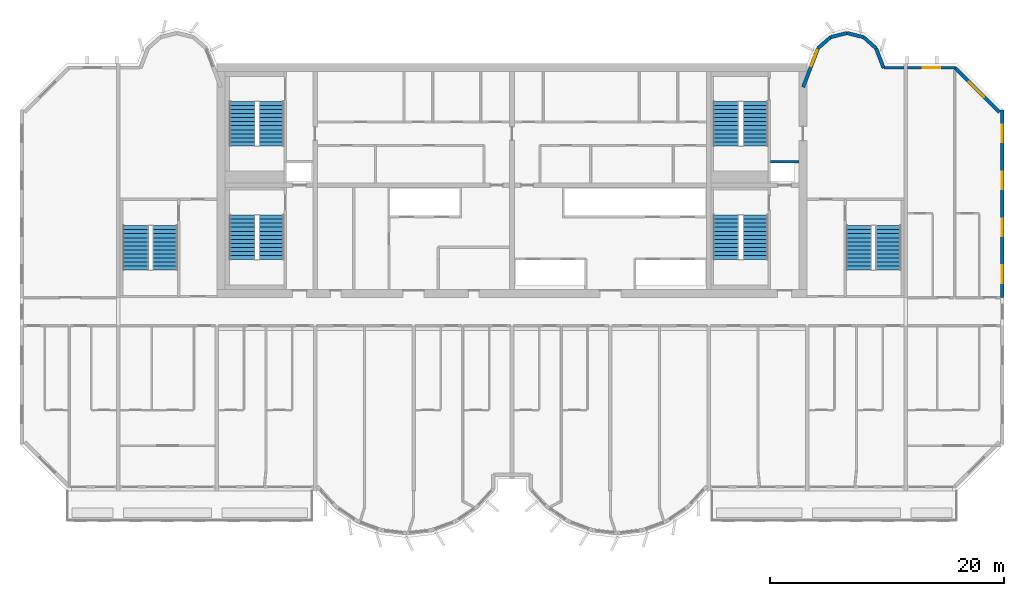
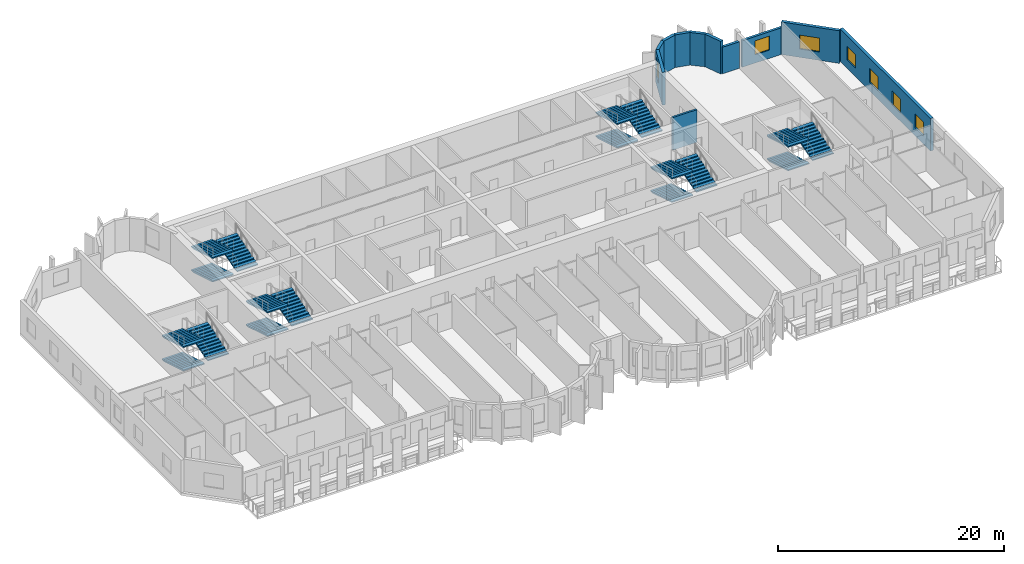
# One storey, part 10 of 13: 18 stair flights, 11 walls, 7 windows, 7 openings, 6 elements without a shape of their own.
"""IFC4 building model written with IfcOpenShell, lengths in metres."""

from ifc_helpers import new_model, si_unit, direction, frame, frame_2d, origin, place, context, subcontext, project, spatial, polyline, rectangle, outline, extrude, source, transform, mapped, material, layer, layer_set, type_object, element, fill, aggregate, save


model = new_model("IFC4")

# Units and contexts
model_context = context("Model", 3, precision=1e-05, world=origin(), true_north=direction((0.0, 1.0)))
body_context = subcontext(model_context, "Body", "Model", "MODEL_VIEW")
ifc_project = project(units=[si_unit("LENGTHUNIT", "METRE"), si_unit("AREAUNIT", "SQUARE_METRE"), si_unit("VOLUMEUNIT", "CUBIC_METRE"), si_unit("PLANEANGLEUNIT", "RADIAN"), si_unit("MASSUNIT", "GRAM", prefix="KILO")], contexts=[model_context])

# Site, building, storey
site_placement = place(None, origin())
site = spatial("IfcSite", under=ifc_project, at=site_placement, CompositionType="ELEMENT")
building_placement = place(site_placement, origin())
building = spatial("IfcBuilding", under=site, at=building_placement, Name="Vanashikhar Sky Hotel", CompositionType="ELEMENT")
storey_placement = place(building_placement, frame((0.0, 0.0, 166.800048828125)))
storey = spatial("IfcBuildingStorey", under=building, at=storey_placement, Name="L40", CompositionType="ELEMENT", Elevation=166.800048828125)

# Wall, openings, windows
ifc_material_1 = material(Name="Concrete M60", Category="concrete")
ifc_layer_1 = layer(ifc_material_1, 0.300048828125)
ifc_layer_set_1 = layer_set([ifc_layer_1], Name="RC shear wall 300 Concrete M60")
wall_type_1 = type_object("IfcWallType", Name="RC shear wall 300 Concrete M60", PredefinedType="SHEAR", material=ifc_layer_set_1)
shared_shape_1 = source(origin(), body_context, "Body", "SweptSolid", [
    extrude(rectangle(XDim=16.0, YDim=0.300048828125, at=frame_2d((8.0, 0.0))), origin(), (0.0, 0.0, 1.0), 3.52001953125),
])
wall_1_placement = place(storey_placement, frame((92.25, 22.0, 0.0), z_axis=(0.0, 0.0, 1.0), x_axis=(0.0, 1.0, 0.0)))
wall_1 = element("IfcWall", 1, at=wall_1_placement, inside=storey, type_object=wall_type_1, Name="CW-L40-XW12-2", PredefinedType="SHEAR", context=body_context, shape_type="MappedRepresentation", body=[
    mapped(shared_shape_1, transform((0.0, 0.0, 0.0), scale=1.0)),
])
shared_shape_2 = source(origin(), body_context, "Body", "SweptSolid", [
    extrude(rectangle(XDim=1.5, YDim=1.5, at=frame_2d((0.75, 0.75))), frame((0.0, 0.16015625, 0.0), z_axis=(0.0, -1.0, 0.0), x_axis=(1.0, 0.0, 0.0)), (0.0, 0.0, 1.0), 0.320068359375),
])
opening_1_placement = place(wall_1_placement, frame((1.25, 0.0, 0.89990234375)))
opening_1 = element("IfcOpeningElement", 2, at=opening_1_placement, cuts=wall_1, Name="Opening WN-1", PredefinedType="OPENING", context=body_context, shape_type="MappedRepresentation", body=[
    mapped(shared_shape_2, transform((0.0, 0.0, 0.0), scale=1.0)),
])
opening_2_placement = place(wall_1_placement, frame((5.25, 0.0, 0.89990234375)))
opening_2 = element("IfcOpeningElement", 3, at=opening_2_placement, cuts=wall_1, Name="Opening WN-1", PredefinedType="OPENING", context=body_context, shape_type="MappedRepresentation", body=[
    mapped(shared_shape_2, transform((0.0, 0.0, 0.0), scale=1.0)),
])
opening_3_placement = place(wall_1_placement, frame((9.25, 0.0, 0.89990234375)))
opening_3 = element("IfcOpeningElement", 4, at=opening_3_placement, cuts=wall_1, Name="Opening WN-1", PredefinedType="OPENING", context=body_context, shape_type="MappedRepresentation", body=[
    mapped(shared_shape_2, transform((0.0, 0.0, 0.0), scale=1.0)),
])
opening_4_placement = place(wall_1_placement, frame((13.25, 0.0, 0.89990234375)))
opening_4 = element("IfcOpeningElement", 5, at=opening_4_placement, cuts=wall_1, Name="Opening WN-1", PredefinedType="OPENING", context=body_context, shape_type="MappedRepresentation", body=[
    mapped(shared_shape_2, transform((0.0, 0.0, 0.0), scale=1.0)),
])
ifc_material_2 = material(Name="Glass", Category="glass")
window_type_1 = type_object("IfcWindowType", Name="Window 1500 x 1500", PartitioningType="SINGLE_PANEL", PredefinedType="WINDOW", material=ifc_material_2)
shared_shape_3 = source(origin(), body_context, "Body", "SweptSolid", [
    extrude(rectangle(XDim=1.5, YDim=1.5, at=frame_2d((0.75, 0.75))), frame((0.0, 0.030029296875, 0.0), z_axis=(0.0, -1.0, 0.0), x_axis=(1.0, 0.0, 0.0)), (0.0, 0.0, 1.0), 0.06005859375),
])
window_1_placement = place(opening_1_placement, origin())
window_1 = element("IfcWindow", 6, at=window_1_placement, inside=storey, type_object=window_type_1, Name="Window WN-1", OverallHeight=1.5, OverallWidth=1.5, PartitioningType="SINGLE_PANEL", PredefinedType="WINDOW", context=body_context, shape_type="MappedRepresentation", body=[
    mapped(shared_shape_3, transform((0.0, 0.0, 0.0), scale=1.0)),
])
fill(opening_1, window_1)
window_2_placement = place(opening_2_placement, origin())
window_2 = element("IfcWindow", 7, at=window_2_placement, inside=storey, type_object=window_type_1, Name="Window WN-1", OverallHeight=1.5, OverallWidth=1.5, PartitioningType="SINGLE_PANEL", PredefinedType="WINDOW", context=body_context, shape_type="MappedRepresentation", body=[
    mapped(shared_shape_3, transform((0.0, 0.0, 0.0), scale=1.0)),
])
fill(opening_2, window_2)
window_3_placement = place(opening_3_placement, origin())
window_3 = element("IfcWindow", 8, at=window_3_placement, inside=storey, type_object=window_type_1, Name="Window WN-1", OverallHeight=1.5, OverallWidth=1.5, PartitioningType="SINGLE_PANEL", PredefinedType="WINDOW", context=body_context, shape_type="MappedRepresentation", body=[
    mapped(shared_shape_3, transform((0.0, 0.0, 0.0), scale=1.0)),
])
fill(opening_3, window_3)
window_4_placement = place(opening_4_placement, origin())
window_4 = element("IfcWindow", 9, at=window_4_placement, inside=storey, type_object=window_type_1, Name="Window WN-1", OverallHeight=1.5, OverallWidth=1.5, PartitioningType="SINGLE_PANEL", PredefinedType="WINDOW", context=body_context, shape_type="MappedRepresentation", body=[
    mapped(shared_shape_3, transform((0.0, 0.0, 0.0), scale=1.0)),
])
fill(opening_4, window_4)

# Wall, opening, window
ifc_material_3 = material(Name="Concrete M50", Category="concrete")
ifc_layer_2 = layer(ifc_material_3, 0.300048828125)
ifc_layer_set_2 = layer_set([ifc_layer_2], Name="Lobe wall 300")
wall_type_2 = type_object("IfcWallType", Name="Lobe wall 300", PredefinedType="SOLIDWALL", material=ifc_layer_set_2)
shared_shape_4 = source(origin(), body_context, "Body", "SweptSolid", [
    extrude(rectangle(XDim=5.32568359375, YDim=0.300048828125, at=frame_2d((2.662841796875, 0.0))), origin(), (0.0, 0.0, 1.0), 3.52001953125),
])
wall_2_placement = place(storey_placement, frame((92.0, 37.834228515625, 0.0), z_axis=(0.0, 0.0, 1.0), x_axis=(-0.707083859269, 0.707129702361, 0.0)))
wall_2 = element("IfcWall", 10, at=wall_2_placement, inside=storey, type_object=wall_type_2, Name="Corner wall", PredefinedType="SOLIDWALL", context=body_context, shape_type="MappedRepresentation", body=[
    mapped(shared_shape_4, transform((0.0, 0.0, 0.0), scale=1.0)),
])
shared_shape_5 = source(origin(), body_context, "Body", "SweptSolid", [
    extrude(rectangle(XDim=1.800048828125, YDim=1.5, at=frame_2d((0.89990234375, 0.75))), frame((0.0, 0.16015625, 0.0), z_axis=(0.0, -1.0, 0.0), x_axis=(1.0, 0.0, 0.0)), (0.0, 0.0, 1.0), 0.320068359375),
])
opening_5_placement = place(wall_2_placement, frame((1.8359375, 0.0, 0.89990234375)))
opening_5 = element("IfcOpeningElement", 11, at=opening_5_placement, cuts=wall_2, Name="Opening WN-4", PredefinedType="OPENING", context=body_context, shape_type="MappedRepresentation", body=[
    mapped(shared_shape_5, transform((0.0, 0.0, 0.0), scale=1.0)),
])
window_type_2 = type_object("IfcWindowType", Name="Corner window 1800 x 1500", PartitioningType="SINGLE_PANEL", PredefinedType="WINDOW", material=ifc_material_2)
shared_shape_6 = source(origin(), body_context, "Body", "SweptSolid", [
    extrude(rectangle(XDim=1.800048828125, YDim=1.5, at=frame_2d((0.89990234375, 0.75))), frame((0.0, 0.030029296875, 0.0), z_axis=(0.0, -1.0, 0.0), x_axis=(1.0, 0.0, 0.0)), (0.0, 0.0, 1.0), 0.06005859375),
])
window_5_placement = place(opening_5_placement, origin())
window_5 = element("IfcWindow", 12, at=window_5_placement, inside=storey, type_object=window_type_2, Name="Window WN-4", OverallHeight=1.5, OverallWidth=1.800048828125, PartitioningType="SINGLE_PANEL", PredefinedType="WINDOW", context=body_context, shape_type="MappedRepresentation", body=[
    mapped(shared_shape_6, transform((0.0, 0.0, 0.0), scale=1.0)),
])
fill(opening_5, window_5)

shared_shape_7 = source(origin(), body_context, "Body", "SweptSolid", [
    extrude(rectangle(XDim=3.55908203125, YDim=0.300048828125, at=frame_2d((1.779541015625, 0.0))), origin(), (0.0, 0.0, 1.0), 3.52001953125),
])
wall_3_placement = place(storey_placement, frame((76.5234375, 43.2919921875, 0.0), z_axis=(0.0, 0.0, 1.0), x_axis=(-0.35779745313, -0.933799219604, 0.0)))
wall_3 = element("IfcWall", 13, at=wall_3_placement, inside=storey, type_object=wall_type_2, Name="Lobe wall", PredefinedType="SOLIDWALL", context=body_context, shape_type="MappedRepresentation", body=[
    mapped(shared_shape_7, transform((0.0, 0.0, 0.0), scale=1.0)),
])
shared_shape_8 = source(origin(), body_context, "Body", "SweptSolid", [
    extrude(rectangle(XDim=1.5, YDim=2.0, at=frame_2d((0.75, 1.0))), frame((0.0, 0.16015625, 0.0), z_axis=(0.0, -1.0, 0.0), x_axis=(1.0, 0.0, 0.0)), (0.0, 0.0, 1.0), 0.320068359375),
])
opening_6_placement = place(wall_3_placement, frame((0.156005859375, 0.0, 0.89990234375)))
opening_6 = element("IfcOpeningElement", 14, at=opening_6_placement, cuts=wall_3, Name="Opening WN-2", PredefinedType="OPENING", context=body_context, shape_type="MappedRepresentation", body=[
    mapped(shared_shape_8, transform((0.0, 0.0, 0.0), scale=1.0)),
])
window_type_3 = type_object("IfcWindowType", Name="Lobe window 1500 x 2000", PartitioningType="SINGLE_PANEL", PredefinedType="WINDOW", material=ifc_material_2)
shared_shape_9 = source(origin(), body_context, "Body", "SweptSolid", [
    extrude(rectangle(XDim=1.5, YDim=2.0, at=frame_2d((0.75, 1.0))), frame((0.0, 0.030029296875, 0.0), z_axis=(0.0, -1.0, 0.0), x_axis=(1.0, 0.0, 0.0)), (0.0, 0.0, 1.0), 0.06005859375),
])
window_6_placement = place(opening_6_placement, origin())
window_6 = element("IfcWindow", 15, at=window_6_placement, inside=storey, type_object=window_type_3, Name="Window WN-2", OverallHeight=2.0, OverallWidth=1.5, PartitioningType="SINGLE_PANEL", PredefinedType="WINDOW", context=body_context, shape_type="MappedRepresentation", body=[
    mapped(shared_shape_9, transform((0.0, 0.0, 0.0), scale=1.0)),
])
fill(opening_6, window_6)

# Walls
shared_shape_10 = source(origin(), body_context, "Body", "SweptSolid", [
    extrude(rectangle(XDim=1.438720703125, YDim=0.300048828125, at=frame_2d((0.71923828125, 0.0))), origin(), (0.0, 0.0, 1.0), 3.52001953125),
])
for number, where, z_axis, x_axis, name in (
    (16, (80.397216796875, 44.2451171875, 0.0), (0.0, 0.0, 1.0), (-0.971161932466, 0.238420848351, 0.0), "Lobe wall"),
    (17, (79.0, 44.588134765625, 0.0), (0.0, 0.0, 1.0), (-0.971161932466, -0.238420848351, 0.0), "Lobe wall"),
):
    element("IfcWall", number, at=place(storey_placement, frame(where, z_axis=z_axis, x_axis=x_axis)), inside=storey, type_object=wall_type_2, Name=name, PredefinedType="SOLIDWALL", context=body_context, shape_type="MappedRepresentation", body=[
        mapped(shared_shape_10, transform((0.0, 0.0, 0.0), scale=1.0)),
    ])
shared_shape_11 = source(origin(), body_context, "Body", "SweptSolid", [
    extrude(rectangle(XDim=1.43994140625, YDim=0.300048828125, at=frame_2d((0.719970703125, 0.0))), origin(), (0.0, 0.0, 1.0), 3.52001953125),
])
for number, where, z_axis, x_axis, name in (
    (18, (81.4765625, 43.2919921875, 0.0), (0.0, 0.0, 1.0), (-0.74957555648, 0.661918790432, 0.0), "Lobe wall"),
    (19, (77.602783203125, 44.2451171875, 0.0), (0.0, 0.0, 1.0), (-0.74957555648, -0.661918790432, 0.0), "Lobe wall"),
):
    element("IfcWall", number, at=place(storey_placement, frame(where, z_axis=z_axis, x_axis=x_axis)), inside=storey, type_object=wall_type_2, Name=name, PredefinedType="SOLIDWALL", context=body_context, shape_type="MappedRepresentation", body=[
        mapped(shared_shape_11, transform((0.0, 0.0, 0.0), scale=1.0)),
    ])
shared_shape_12 = source(origin(), body_context, "Body", "SweptSolid", [
    extrude(rectangle(XDim=1.81201171875, YDim=0.300048828125, at=frame_2d((0.906005859375, 0.0))), origin(), (0.0, 0.0, 1.0), 3.52001953125),
])
wall_4_placement = place(storey_placement, frame((82.125, 41.60009765625, 0.0), z_axis=(0.0, 0.0, 1.0), x_axis=(-0.357877270961, 0.93376863244, 0.0)))
element("IfcWall", 20, at=wall_4_placement, inside=storey, type_object=wall_type_2, Name="Lobe wall", PredefinedType="SOLIDWALL", context=body_context, shape_type="MappedRepresentation", body=[
    mapped(shared_shape_12, transform((0.0, 0.0, 0.0), scale=1.0)),
])
ifc_layer_3 = layer(ifc_material_3, 0.25)
ifc_layer_set_3 = layer_set([ifc_layer_3], Name="Rear and end board-marked wall 250")
wall_type_3 = type_object("IfcWallType", Name="Rear and end board-marked wall 250", PredefinedType="SOLIDWALL", material=ifc_layer_set_3)
shared_shape_13 = source(origin(), body_context, "Body", "SweptSolid", [
    extrude(rectangle(XDim=1.7080078125, YDim=0.25, at=frame_2d((0.85400390625, 0.0))), origin(), (0.0, 0.0, 1.0), 2.869873046875),
])
wall_5_placement = place(storey_placement, frame((83.85009765625, 41.625, 0.0), z_axis=(0.0, 0.0, 1.0), x_axis=(-1.0, 0.0, 0.0)))
element("IfcWall", 21, at=wall_5_placement, inside=storey, type_object=wall_type_3, Name="Rear board-marked wall", PredefinedType="SOLIDWALL", context=body_context, shape_type="MappedRepresentation", body=[
    mapped(shared_shape_13, transform((0.0, 0.0, 0.0), scale=1.0)),
])

# Wall, opening, window
shared_shape_14 = source(origin(), body_context, "Body", "SweptSolid", [
    extrude(rectangle(XDim=4.0947265625, YDim=0.25, at=frame_2d((2.04736328125, 0.0))), origin(), (0.0, 0.0, 1.0), 2.869873046875),
])
wall_6_placement = place(storey_placement, frame((88.24462890625, 41.625, 0.0), z_axis=(0.0, 0.0, 1.0), x_axis=(-1.0, 0.0, 0.0)))
wall_6 = element("IfcWall", 22, at=wall_6_placement, inside=storey, type_object=wall_type_3, Name="Rear board-marked wall", PredefinedType="SOLIDWALL", context=body_context, shape_type="MappedRepresentation", body=[
    mapped(shared_shape_14, transform((0.0, 0.0, 0.0), scale=1.0)),
])
shared_shape_15 = source(origin(), body_context, "Body", "SweptSolid", [
    extrude(rectangle(XDim=1.5, YDim=1.5, at=frame_2d((0.75, 0.75))), frame((0.0, 0.135009765625, 0.0), z_axis=(0.0, -1.0, 0.0), x_axis=(1.0, 0.0, 0.0)), (0.0, 0.0, 1.0), 0.27001953125),
])
opening_7_placement = place(wall_6_placement, frame((1.29736328125, 0.0, 0.89990234375)))
opening_7 = element("IfcOpeningElement", 23, at=opening_7_placement, cuts=wall_6, Name="Opening WN-1", PredefinedType="OPENING", context=body_context, shape_type="MappedRepresentation", body=[
    mapped(shared_shape_15, transform((0.0, 0.0, 0.0), scale=1.0)),
])
window_7_placement = place(opening_7_placement, origin())
window_7 = element("IfcWindow", 24, at=window_7_placement, inside=storey, type_object=window_type_1, Name="Window WN-1", OverallHeight=1.5, OverallWidth=1.5, PartitioningType="SINGLE_PANEL", PredefinedType="WINDOW", context=body_context, shape_type="MappedRepresentation", body=[
    mapped(shared_shape_3, transform((0.0, 0.0, 0.0), scale=1.0)),
])
fill(opening_7, window_7)

# Wall
ifc_material_4 = material(Name="Concrete M40", Category="concrete")
ifc_layer_4 = layer(ifc_material_4, 0.199951171875)
ifc_layer_set_4 = layer_set([ifc_layer_4], Name="Shaft wall 200")
wall_type_4 = type_object("IfcWallType", Name="Shaft wall 200", PredefinedType="SOLIDWALL", material=ifc_layer_set_4)
shared_shape_16 = source(origin(), body_context, "Body", "SweptSolid", [
    extrude(rectangle(XDim=2.449951171875, YDim=0.199951171875, at=frame_2d((1.22509765625, 0.0))), origin(), (0.0, 0.0, 1.0), 3.52001953125),
])
wall_7_placement = place(storey_placement, frame((72.449951171875, 33.60009765625, 0.0), z_axis=(0.0, 0.0, 1.0), x_axis=(1.0, 0.0, 0.0)))
element("IfcWall", 25, at=wall_7_placement, inside=storey, type_object=wall_type_4, Name="Shaft wall 200", PredefinedType="SOLIDWALL", context=body_context, shape_type="MappedRepresentation", body=[
    mapped(shared_shape_16, transform((0.0, 0.0, 0.0), scale=1.0)),
])

# Stair, stair flights
stair_type = type_object("IfcStairType", Name="Exit stair 2150", PredefinedType="DOUBLE_RETURN_STAIR", material=ifc_material_4)
stair_1_placement = place(storey_placement, origin())
stair_1 = element("IfcStair", 26, at=stair_1_placement, inside=storey, type_object=stair_type, Name="L40 Exit stair 1", PredefinedType="DOUBLE_RETURN_STAIR")
stair_flight_type = type_object("IfcStairFlightType", Name="Stair flight 2150", PredefinedType="STRAIGHT", material=ifc_material_4)
shared_shape_17 = source(origin(), body_context, "Body", "SweptSolid", [
    extrude(outline(polyline([(0.0, 0.0), (0.0, 0.10546875), (0.345458984375, 0.10546875), (0.345458984375, 0.211181640625), (0.69091796875, 0.211181640625), (0.69091796875, 0.316650390625), (1.036376953125, 0.316650390625), (1.036376953125, 0.422119140625), (1.3818359375, 0.422119140625), (1.3818359375, 0.52783203125), (1.727294921875, 0.52783203125), (1.727294921875, 0.63330078125), (2.07275390625, 0.63330078125), (2.07275390625, 0.73876953125), (2.418212890625, 0.73876953125), (2.418212890625, 0.844482421875), (2.763671875, 0.844482421875), (2.763671875, 0.949951171875), (3.109130859375, 0.949951171875), (3.109130859375, 1.0556640625), (3.45458984375, 1.0556640625), (3.45458984375, 1.1611328125), (3.800048828125, 1.1611328125), (3.800048828125, 1.2666015625), (3.800048828125, 1.035400390625), (0.4111328125, 0.0), (0.0, 0.0)])), frame((0.0, 1.074951171875, 0.0), z_axis=(0.0, -1.0, 0.0), x_axis=(1.0, 0.0, 0.0)), (0.0, 0.0, 1.0), 2.14990234375),
])
stair_flight_1_placement = place(storey_placement, frame((27.375, 29.050048828125, 0.0), z_axis=(0.0, 0.0, 1.0), x_axis=(0.0, -1.0, 0.0)))
stair_flight_1 = element("IfcStairFlight", 27, at=stair_flight_1_placement, type_object=stair_flight_type, Name="ST-C1 flight 1", NumberOfRisers=12, NumberOfTreads=11, PredefinedType="STRAIGHT", RiserHeight=0.105555556, TreadLength=0.345454545, context=body_context, shape_type="MappedRepresentation", body=[
    mapped(shared_shape_17, transform((0.0, 0.0, 0.0), scale=1.0)),
])
stair_flight_2_placement = place(storey_placement, frame((29.875, 25.25, 1.2666015625), z_axis=(0.0, 0.0, 1.0), x_axis=(0.0, 1.0, 0.0)))
stair_flight_2 = element("IfcStairFlight", 28, at=stair_flight_2_placement, type_object=stair_flight_type, Name="ST-C1 flight 2", NumberOfRisers=12, NumberOfTreads=11, PredefinedType="STRAIGHT", RiserHeight=0.105555556, TreadLength=0.345454545, context=body_context, shape_type="MappedRepresentation", body=[
    mapped(shared_shape_17, transform((0.0, 0.0, 0.0), scale=1.0)),
])
stair_flight_3_placement = place(storey_placement, frame((27.375, 29.050048828125, 2.533203125), z_axis=(0.0, 0.0, 1.0), x_axis=(0.0, -1.0, 0.0)))
stair_flight_3 = element("IfcStairFlight", 29, at=stair_flight_3_placement, type_object=stair_flight_type, Name="ST-C1 flight 3", NumberOfRisers=12, NumberOfTreads=11, PredefinedType="STRAIGHT", RiserHeight=0.105555556, TreadLength=0.345454545, context=body_context, shape_type="MappedRepresentation", body=[
    mapped(shared_shape_17, transform((0.0, 0.0, 0.0), scale=1.0)),
])
aggregate(stair_1, [stair_flight_1, stair_flight_2, stair_flight_3])

stair_2_placement = place(storey_placement, origin())
stair_2 = element("IfcStair", 30, at=stair_2_placement, inside=storey, type_object=stair_type, Name="L40 Exit stair 2", PredefinedType="DOUBLE_RETURN_STAIR")
stair_flight_4_placement = place(storey_placement, frame((68.675048828125, 29.050048828125, 0.0), z_axis=(0.0, 0.0, 1.0), x_axis=(0.0, -1.0, 0.0)))
stair_flight_4 = element("IfcStairFlight", 31, at=stair_flight_4_placement, type_object=stair_flight_type, Name="ST-C2 flight 1", NumberOfRisers=12, NumberOfTreads=11, PredefinedType="STRAIGHT", RiserHeight=0.105555556, TreadLength=0.345454545, context=body_context, shape_type="MappedRepresentation", body=[
    mapped(shared_shape_17, transform((0.0, 0.0, 0.0), scale=1.0)),
])
stair_flight_5_placement = place(storey_placement, frame((71.175048828125, 25.25, 1.2666015625), z_axis=(0.0, 0.0, 1.0), x_axis=(0.0, 1.0, 0.0)))
stair_flight_5 = element("IfcStairFlight", 32, at=stair_flight_5_placement, type_object=stair_flight_type, Name="ST-C2 flight 2", NumberOfRisers=12, NumberOfTreads=11, PredefinedType="STRAIGHT", RiserHeight=0.105555556, TreadLength=0.345454545, context=body_context, shape_type="MappedRepresentation", body=[
    mapped(shared_shape_17, transform((0.0, 0.0, 0.0), scale=1.0)),
])
stair_flight_6_placement = place(storey_placement, frame((68.675048828125, 29.050048828125, 2.533203125), z_axis=(0.0, 0.0, 1.0), x_axis=(0.0, -1.0, 0.0)))
stair_flight_6 = element("IfcStairFlight", 33, at=stair_flight_6_placement, type_object=stair_flight_type, Name="ST-C2 flight 3", NumberOfRisers=12, NumberOfTreads=11, PredefinedType="STRAIGHT", RiserHeight=0.105555556, TreadLength=0.345454545, context=body_context, shape_type="MappedRepresentation", body=[
    mapped(shared_shape_17, transform((0.0, 0.0, 0.0), scale=1.0)),
])
aggregate(stair_2, [stair_flight_4, stair_flight_5, stair_flight_6])

stair_3_placement = place(storey_placement, origin())
stair_3 = element("IfcStair", 34, at=stair_3_placement, inside=storey, type_object=stair_type, Name="L40 Exit stair 3", PredefinedType="DOUBLE_RETURN_STAIR")
stair_flight_7_placement = place(storey_placement, frame((18.27490234375, 28.14990234375, 0.0), z_axis=(0.0, 0.0, 1.0), x_axis=(0.0, -1.0, 0.0)))
stair_flight_7 = element("IfcStairFlight", 35, at=stair_flight_7_placement, type_object=stair_flight_type, Name="ST-W flight 1", NumberOfRisers=12, NumberOfTreads=11, PredefinedType="STRAIGHT", RiserHeight=0.105555556, TreadLength=0.345454545, context=body_context, shape_type="MappedRepresentation", body=[
    mapped(shared_shape_17, transform((0.0, 0.0, 0.0), scale=1.0)),
])
stair_flight_8_placement = place(storey_placement, frame((20.77490234375, 24.35009765625, 1.2666015625), z_axis=(0.0, 0.0, 1.0), x_axis=(0.0, 1.0, 0.0)))
stair_flight_8 = element("IfcStairFlight", 36, at=stair_flight_8_placement, type_object=stair_flight_type, Name="ST-W flight 2", NumberOfRisers=12, NumberOfTreads=11, PredefinedType="STRAIGHT", RiserHeight=0.105555556, TreadLength=0.345454545, context=body_context, shape_type="MappedRepresentation", body=[
    mapped(shared_shape_17, transform((0.0, 0.0, 0.0), scale=1.0)),
])
stair_flight_9_placement = place(storey_placement, frame((18.27490234375, 28.14990234375, 2.533203125), z_axis=(0.0, 0.0, 1.0), x_axis=(0.0, -1.0, 0.0)))
stair_flight_9 = element("IfcStairFlight", 37, at=stair_flight_9_placement, type_object=stair_flight_type, Name="ST-W flight 3", NumberOfRisers=12, NumberOfTreads=11, PredefinedType="STRAIGHT", RiserHeight=0.105555556, TreadLength=0.345454545, context=body_context, shape_type="MappedRepresentation", body=[
    mapped(shared_shape_17, transform((0.0, 0.0, 0.0), scale=1.0)),
])
aggregate(stair_3, [stair_flight_7, stair_flight_8, stair_flight_9])

stair_4_placement = place(storey_placement, origin())
stair_4 = element("IfcStair", 38, at=stair_4_placement, inside=storey, type_object=stair_type, Name="L40 Exit stair 4", PredefinedType="DOUBLE_RETURN_STAIR")
stair_flight_10_placement = place(storey_placement, frame((80.02490234375, 28.14990234375, 0.0), z_axis=(0.0, 0.0, 1.0), x_axis=(0.0, -1.0, 0.0)))
stair_flight_10 = element("IfcStairFlight", 39, at=stair_flight_10_placement, type_object=stair_flight_type, Name="ST-E flight 1", NumberOfRisers=12, NumberOfTreads=11, PredefinedType="STRAIGHT", RiserHeight=0.105555556, TreadLength=0.345454545, context=body_context, shape_type="MappedRepresentation", body=[
    mapped(shared_shape_17, transform((0.0, 0.0, 0.0), scale=1.0)),
])
stair_flight_11_placement = place(storey_placement, frame((82.52490234375, 24.35009765625, 1.2666015625), z_axis=(0.0, 0.0, 1.0), x_axis=(0.0, 1.0, 0.0)))
stair_flight_11 = element("IfcStairFlight", 40, at=stair_flight_11_placement, type_object=stair_flight_type, Name="ST-E flight 2", NumberOfRisers=12, NumberOfTreads=11, PredefinedType="STRAIGHT", RiserHeight=0.105555556, TreadLength=0.345454545, context=body_context, shape_type="MappedRepresentation", body=[
    mapped(shared_shape_17, transform((0.0, 0.0, 0.0), scale=1.0)),
])
stair_flight_12_placement = place(storey_placement, frame((80.02490234375, 28.14990234375, 2.533203125), z_axis=(0.0, 0.0, 1.0), x_axis=(0.0, -1.0, 0.0)))
stair_flight_12 = element("IfcStairFlight", 41, at=stair_flight_12_placement, type_object=stair_flight_type, Name="ST-E flight 3", NumberOfRisers=12, NumberOfTreads=11, PredefinedType="STRAIGHT", RiserHeight=0.105555556, TreadLength=0.345454545, context=body_context, shape_type="MappedRepresentation", body=[
    mapped(shared_shape_17, transform((0.0, 0.0, 0.0), scale=1.0)),
])
aggregate(stair_4, [stair_flight_10, stair_flight_11, stair_flight_12])

stair_5_placement = place(storey_placement, origin())
stair_5 = element("IfcStair", 42, at=stair_5_placement, inside=storey, type_object=stair_type, Name="L40 Exit stair 5", PredefinedType="DOUBLE_RETURN_STAIR")
stair_flight_13_placement = place(storey_placement, frame((27.375, 38.75, 0.0), z_axis=(0.0, 0.0, 1.0), x_axis=(0.0, -1.0, 0.0)))
stair_flight_13 = element("IfcStairFlight", 43, at=stair_flight_13_placement, type_object=stair_flight_type, Name="ST-C3 flight 1", NumberOfRisers=12, NumberOfTreads=11, PredefinedType="STRAIGHT", RiserHeight=0.105555556, TreadLength=0.345454545, context=body_context, shape_type="MappedRepresentation", body=[
    mapped(shared_shape_17, transform((0.0, 0.0, 0.0), scale=1.0)),
])
stair_flight_14_placement = place(storey_placement, frame((29.875, 34.949951171875, 1.2666015625), z_axis=(0.0, 0.0, 1.0), x_axis=(0.0, 1.0, 0.0)))
stair_flight_14 = element("IfcStairFlight", 44, at=stair_flight_14_placement, type_object=stair_flight_type, Name="ST-C3 flight 2", NumberOfRisers=12, NumberOfTreads=11, PredefinedType="STRAIGHT", RiserHeight=0.105555556, TreadLength=0.345454545, context=body_context, shape_type="MappedRepresentation", body=[
    mapped(shared_shape_17, transform((0.0, 0.0, 0.0), scale=1.0)),
])
stair_flight_15_placement = place(storey_placement, frame((27.375, 38.75, 2.533203125), z_axis=(0.0, 0.0, 1.0), x_axis=(0.0, -1.0, 0.0)))
stair_flight_15 = element("IfcStairFlight", 45, at=stair_flight_15_placement, type_object=stair_flight_type, Name="ST-C3 flight 3", NumberOfRisers=12, NumberOfTreads=11, PredefinedType="STRAIGHT", RiserHeight=0.105555556, TreadLength=0.345454545, context=body_context, shape_type="MappedRepresentation", body=[
    mapped(shared_shape_17, transform((0.0, 0.0, 0.0), scale=1.0)),
])
aggregate(stair_5, [stair_flight_13, stair_flight_14, stair_flight_15])

stair_6_placement = place(storey_placement, origin())
stair_6 = element("IfcStair", 46, at=stair_6_placement, inside=storey, type_object=stair_type, Name="L40 Exit stair 6", PredefinedType="DOUBLE_RETURN_STAIR")
stair_flight_16_placement = place(storey_placement, frame((68.675048828125, 38.75, 0.0), z_axis=(0.0, 0.0, 1.0), x_axis=(0.0, -1.0, 0.0)))
stair_flight_16 = element("IfcStairFlight", 47, at=stair_flight_16_placement, type_object=stair_flight_type, Name="ST-C4 flight 1", NumberOfRisers=12, NumberOfTreads=11, PredefinedType="STRAIGHT", RiserHeight=0.105555556, TreadLength=0.345454545, context=body_context, shape_type="MappedRepresentation", body=[
    mapped(shared_shape_17, transform((0.0, 0.0, 0.0), scale=1.0)),
])
stair_flight_17_placement = place(storey_placement, frame((71.175048828125, 34.949951171875, 1.2666015625), z_axis=(0.0, 0.0, 1.0), x_axis=(0.0, 1.0, 0.0)))
stair_flight_17 = element("IfcStairFlight", 48, at=stair_flight_17_placement, type_object=stair_flight_type, Name="ST-C4 flight 2", NumberOfRisers=12, NumberOfTreads=11, PredefinedType="STRAIGHT", RiserHeight=0.105555556, TreadLength=0.345454545, context=body_context, shape_type="MappedRepresentation", body=[
    mapped(shared_shape_17, transform((0.0, 0.0, 0.0), scale=1.0)),
])
stair_flight_18_placement = place(storey_placement, frame((68.675048828125, 38.75, 2.533203125), z_axis=(0.0, 0.0, 1.0), x_axis=(0.0, -1.0, 0.0)))
stair_flight_18 = element("IfcStairFlight", 49, at=stair_flight_18_placement, type_object=stair_flight_type, Name="ST-C4 flight 3", NumberOfRisers=12, NumberOfTreads=11, PredefinedType="STRAIGHT", RiserHeight=0.105555556, TreadLength=0.345454545, context=body_context, shape_type="MappedRepresentation", body=[
    mapped(shared_shape_17, transform((0.0, 0.0, 0.0), scale=1.0)),
])
aggregate(stair_6, [stair_flight_16, stair_flight_17, stair_flight_18])

save(model, "model.ifc")
